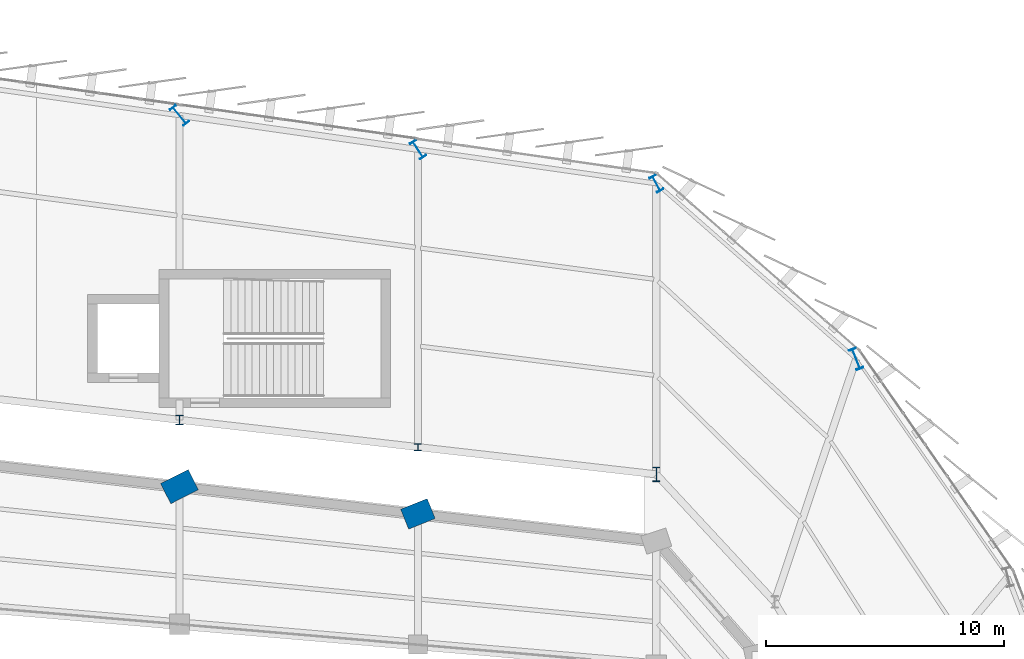
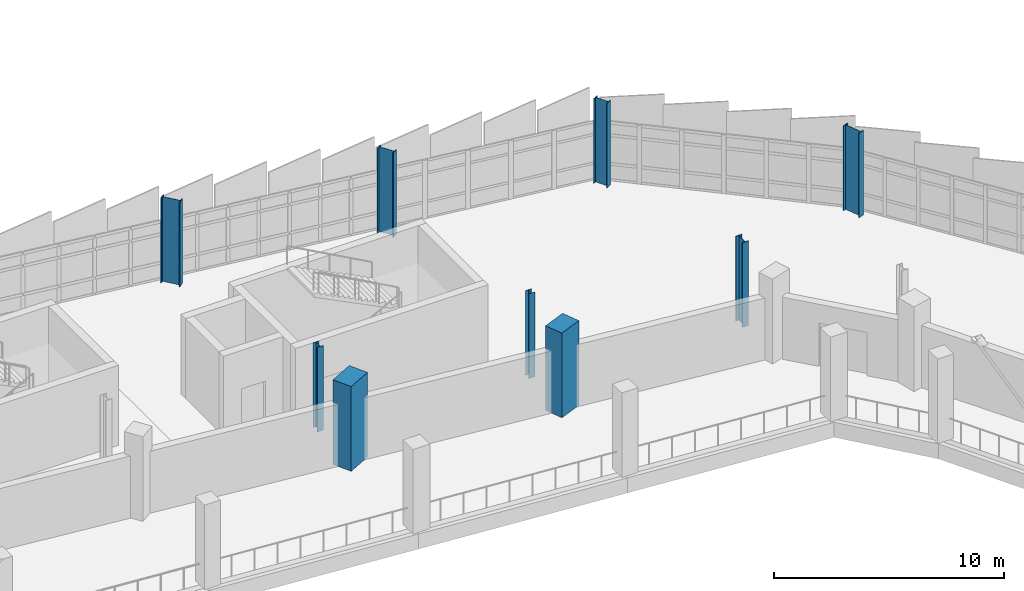
# One storey, part 23 of 125: 9 columns.
"""IFC4 building model written with IfcOpenShell, lengths in metres."""

from ifc_helpers import new_model, si_unit, direction, frame, origin, origin_2d, place, context, subcontext, project, spatial, rectangle, i_section, extrude, material, material_profile, profile_set, type_object, element, save


model = new_model("IFC4")

# Units and contexts
model_context = context("Model", 3, precision=1e-05, world=origin(), true_north=direction((0.0, 1.0)))
body_context = subcontext(model_context, "Body", "Model", "MODEL_VIEW")
ifc_project = project(units=[si_unit("LENGTHUNIT", "METRE"), si_unit("AREAUNIT", "SQUARE_METRE"), si_unit("VOLUMEUNIT", "CUBIC_METRE"), si_unit("PLANEANGLEUNIT", "RADIAN"), si_unit("MASSUNIT", "GRAM", prefix="KILO")], contexts=[model_context])

# Site, building, storey
site_placement = place(None, origin())
site = spatial("IfcSite", under=ifc_project, at=site_placement, CompositionType="ELEMENT")
building_placement = place(site_placement, origin())
building = spatial("IfcBuilding", under=site, at=building_placement, Name="Sohan Crest Arena", CompositionType="ELEMENT")
storey_placement = place(building_placement, frame((0.0, 0.0, 9.0)))
storey = spatial("IfcBuildingStorey", under=building, at=storey_placement, Name="L02", CompositionType="ELEMENT", Elevation=9.0)

# Columns
ifc_material_1 = material(Name="Concrete C40/50", Category="concrete")
ifc_material_profile_1 = material_profile(ifc_material_1, rectangle(XDim=1.199951171875, YDim=0.89990234375, at=origin_2d()), Name="RC 1200x900")
ifc_profile_set_1 = profile_set([ifc_material_profile_1], Name="Concrete C40/50")
column_type_1 = type_object("IfcColumnType", Name="STR-COL-C11", PredefinedType="COLUMN", material=ifc_profile_set_1)
column_1_placement = place(storey_placement, frame((158.0, 102.14306640625, 0.0), z_axis=(0.0, 0.0, 1.0), x_axis=(0.927836253899, 0.372987782576, 0.0)))
element("IfcColumn", 1, at=column_1_placement, inside=storey, type_object=column_type_1, Name="Structural column COL-V1R-29-L02", PredefinedType="COLUMN", context=body_context, shape_type="SweptSolid", body=[
    extrude(rectangle(XDim=1.199951171875, YDim=0.89990234375, at=origin_2d()), origin(), (0.0, 0.0, 1.0), 4.5),
])
ifc_material_profile_2 = material_profile(ifc_material_1, rectangle(XDim=1.300048828125, YDim=0.949951171875, at=origin_2d()), Name="RC 1300x950")
ifc_profile_set_2 = profile_set([ifc_material_profile_2], Name="Concrete C40/50")
column_type_2 = type_object("IfcColumnType", Name="STR-COL-C12", PredefinedType="COLUMN", material=ifc_profile_set_2)
column_2_placement = place(storey_placement, frame((148.0, 103.285888671875, 0.0), z_axis=(0.0, 0.0, 1.0), x_axis=(0.892585818452, 0.450877540689, 0.0)))
element("IfcColumn", 2, at=column_2_placement, inside=storey, type_object=column_type_2, Name="Structural column COL-V1R-30-L02", PredefinedType="COLUMN", context=body_context, shape_type="SweptSolid", body=[
    extrude(rectangle(XDim=1.300048828125, YDim=0.949951171875, at=origin_2d()), origin(), (0.0, 0.0, 1.0), 4.5),
])
ifc_material_2 = material(Name="Steel S355", Category="steel")
ifc_material_profile_3 = material_profile(ifc_material_2, i_section(OverallWidth=0.300048828125, OverallDepth=0.300048828125, WebThickness=0.010986328125, FlangeThickness=0.01904296875, at=origin_2d()), Name="HEB 300")
ifc_profile_set_3 = profile_set([ifc_material_profile_3], Name="Steel S355")
column_type_3 = type_object("IfcColumnType", Name="STR-COL-C17", PredefinedType="COLUMN", material=ifc_profile_set_3)
column_3_placement = place(storey_placement, frame((158.0, 104.943115234375, 0.0), z_axis=(0.0, 0.0, 1.0), x_axis=(1.0, 0.0, 0.0)))
element("IfcColumn", 3, at=column_3_placement, inside=storey, type_object=column_type_3, Name="Structural column COL-V2I-29-L02", PredefinedType="COLUMN", context=body_context, shape_type="SweptSolid", body=[
    extrude(i_section(OverallWidth=0.300048828125, OverallDepth=0.300048828125, WebThickness=0.010986328125, FlangeThickness=0.01904296875, at=origin_2d()), origin(), (0.0, 0.0, 1.0), 4.5),
])
ifc_material_profile_4 = material_profile(ifc_material_2, i_section(OverallWidth=0.300048828125, OverallDepth=0.39990234375, WebThickness=0.013427734375, FlangeThickness=0.02392578125, at=origin_2d()), Name="HEB 400")
ifc_profile_set_4 = profile_set([ifc_material_profile_4], Name="Steel S355")
column_type_4 = type_object("IfcColumnType", Name="STR-COL-C18", PredefinedType="COLUMN", material=ifc_profile_set_4)
column_4_placement = place(storey_placement, frame((148.0, 106.0859375, 0.0), z_axis=(0.0, 0.0, 1.0), x_axis=(1.0, 0.0, 0.0)))
element("IfcColumn", 4, at=column_4_placement, inside=storey, type_object=column_type_4, Name="Structural column COL-V2I-30-L02", PredefinedType="COLUMN", context=body_context, shape_type="SweptSolid", body=[
    extrude(i_section(OverallWidth=0.300048828125, OverallDepth=0.39990234375, WebThickness=0.013427734375, FlangeThickness=0.02392578125, at=origin_2d()), origin(), (0.0, 0.0, 1.0), 4.5),
])
ifc_material_profile_5 = material_profile(ifc_material_2, i_section(OverallWidth=0.300048828125, OverallDepth=0.60009765625, WebThickness=0.015380859375, FlangeThickness=0.030029296875, at=origin_2d()), Name="HEB 600")
ifc_profile_set_5 = profile_set([ifc_material_profile_5], Name="Steel S355")
column_type_5 = type_object("IfcColumnType", Name="STR-COL-C20", PredefinedType="COLUMN", material=ifc_profile_set_5)
column_5_placement = place(storey_placement, frame((168.0, 103.800048828125, 0.0), z_axis=(0.0, 0.0, 1.0), x_axis=(1.0, 0.0, 0.0)))
element("IfcColumn", 5, at=column_5_placement, inside=storey, type_object=column_type_5, Name="Structural column COL-V2I-28-L02", PredefinedType="COLUMN", context=body_context, shape_type="SweptSolid", body=[
    extrude(i_section(OverallWidth=0.300048828125, OverallDepth=0.60009765625, WebThickness=0.015380859375, FlangeThickness=0.030029296875, at=origin_2d()), origin(), (0.0, 0.0, 1.0), 4.5),
])
ifc_material_profile_6 = material_profile(ifc_material_2, i_section(OverallWidth=0.300048828125, OverallDepth=0.699951171875, WebThickness=0.01708984375, FlangeThickness=0.031982421875, at=origin_2d()), Name="HEB 700")
ifc_profile_set_6 = profile_set([ifc_material_profile_6], Name="Steel S355")
column_type_6 = type_object("IfcColumnType", Name="STR-COL-C21", PredefinedType="COLUMN", material=ifc_profile_set_6)
column_6_placement = place(storey_placement, frame((168.0, 116.0, 0.0), z_axis=(0.0, 0.0, 1.0), x_axis=(0.878817112662, 0.47715876026, 0.0)))
element("IfcColumn", 6, at=column_6_placement, inside=storey, type_object=column_type_6, Name="Structural column COL-V2O-28-L02", PredefinedType="COLUMN", context=body_context, shape_type="SweptSolid", body=[
    extrude(i_section(OverallWidth=0.300048828125, OverallDepth=0.699951171875, WebThickness=0.01708984375, FlangeThickness=0.031982421875, at=origin_2d()), origin(), (0.0, 0.0, 1.0), 4.5),
])
ifc_material_profile_7 = material_profile(ifc_material_2, i_section(OverallWidth=0.300048828125, OverallDepth=0.800048828125, WebThickness=0.017578125, FlangeThickness=0.032958984375, at=origin_2d()), Name="HEB 800")
ifc_profile_set_7 = profile_set([ifc_material_profile_7], Name="Steel S355")
column_type_7 = type_object("IfcColumnType", Name="STR-COL-C22", PredefinedType="COLUMN", material=ifc_profile_set_7)
column_7_placement = place(storey_placement, frame((158.0, 117.428955078125, 0.0), z_axis=(0.0, 0.0, 1.0), x_axis=(0.835807361368, 0.549022817998, 0.0)))
element("IfcColumn", 7, at=column_7_placement, inside=storey, type_object=column_type_7, Name="Structural column COL-V2O-29-L02", PredefinedType="COLUMN", context=body_context, shape_type="SweptSolid", body=[
    extrude(i_section(OverallWidth=0.300048828125, OverallDepth=0.800048828125, WebThickness=0.017578125, FlangeThickness=0.032958984375, at=origin_2d()), origin(), (0.0, 0.0, 1.0), 4.5),
])
ifc_material_profile_8 = material_profile(ifc_material_2, i_section(OverallWidth=0.300048828125, OverallDepth=0.89990234375, WebThickness=0.0185546875, FlangeThickness=0.034912109375, at=origin_2d()), Name="HEB 900")
ifc_profile_set_8 = profile_set([ifc_material_profile_8], Name="Steel S355")
column_type_8 = type_object("IfcColumnType", Name="STR-COL-C23", PredefinedType="COLUMN", material=ifc_profile_set_8)
for number, where, z_axis, x_axis, name in (
    (8, (176.383056640625, 108.64501953125, 0.0), (0.0, 0.0, 1.0), (0.931055815863, 0.364876784338, 0.0), "Structural column COL-V2O-27-L02"),
    (9, (148.0, 118.85693359375, 0.0), (0.0, 0.0, 1.0), (0.773840209727, 0.633380872628, 0.0), "Structural column COL-V2O-30-L02"),
):
    element("IfcColumn", number, at=place(storey_placement, frame(where, z_axis=z_axis, x_axis=x_axis)), inside=storey, type_object=column_type_8, Name=name, PredefinedType="COLUMN", context=body_context, shape_type="SweptSolid", body=[
        extrude(i_section(OverallWidth=0.300048828125, OverallDepth=0.89990234375, WebThickness=0.0185546875, FlangeThickness=0.034912109375, at=origin_2d()), origin(), (0.0, 0.0, 1.0), 4.5),
    ])

save(model, "model.ifc")
